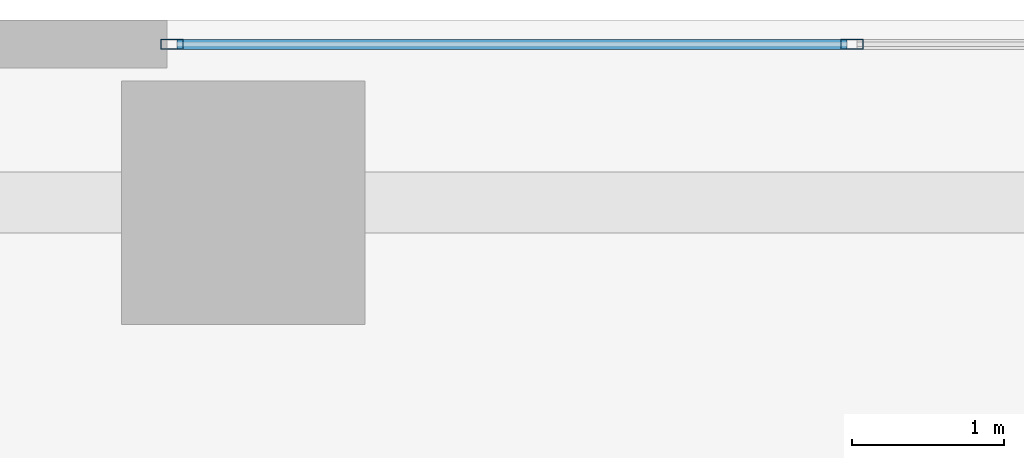
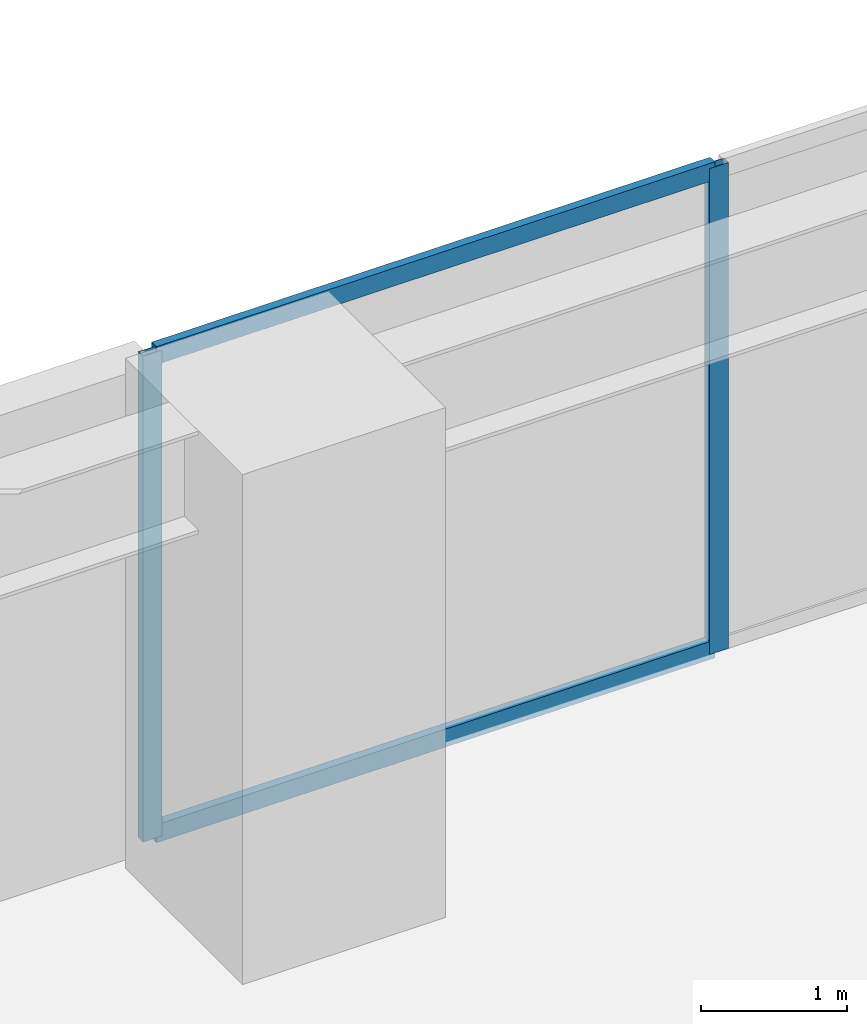
# One storey, part 11 of 25: 4 members, 1 element without a shape of its own.
"""IFC4 building model written with IfcOpenShell, lengths in metres."""

from ifc_helpers import new_model, si_unit, direction, frame, origin, origin_2d, place, context, subcontext, project, spatial, hollow_rectangle, extrude, source, transform, mapped, material, layer, layer_set, material_profile, profile_set, type_object, type_shapes, element, aggregate, save


model = new_model("IFC4")

# Units and contexts
model_context = context("Model", 3, precision=1e-05, world=origin(), true_north=direction((0.0, 1.0)))
body_context = subcontext(model_context, "Body", "Model", "MODEL_VIEW")
ifc_project = project(units=[si_unit("LENGTHUNIT", "METRE"), si_unit("AREAUNIT", "SQUARE_METRE"), si_unit("VOLUMEUNIT", "CUBIC_METRE"), si_unit("PLANEANGLEUNIT", "RADIAN"), si_unit("MASSUNIT", "GRAM", prefix="KILO")], contexts=[model_context])

# Site, building, storey
site_placement = place(None, origin())
site = spatial("IfcSite", under=ifc_project, at=site_placement, CompositionType="ELEMENT")
building_placement = place(site_placement, origin())
building = spatial("IfcBuilding", under=site, at=building_placement, Name="Talar Marvaseh", CompositionType="ELEMENT")
storey_placement = place(building_placement, frame((0.0, 0.0, 14.39990234375)))
storey = spatial("IfcBuildingStorey", under=building, at=storey_placement, Name="L03", CompositionType="ELEMENT", Elevation=14.39990234375)

# Curtain wall, members
ifc_material = material(Name="Architectural Aluminium", Category="aluminium")
ifc_layer = layer(ifc_material, 0.25)
ifc_layer_set = layer_set([ifc_layer], Name="Architectural Aluminium")
curtain_wall_type = type_object("IfcCurtainWallType", Name="Station Podium Monumental Iwan Curtain Wall", PredefinedType="NOTDEFINED", material=ifc_layer_set)
curtain_wall_placement = place(storey_placement, origin())
curtain_wall = element("IfcCurtainWall", 1, at=curtain_wall_placement, inside=storey, type_object=curtain_wall_type, Name="L03 Station Podium Monumental Iwan Curtain Wall", PredefinedType="NOTDEFINED")
ifc_material_profile_1 = material_profile(ifc_material, hollow_rectangle(XDim=0.06494140625, YDim=0.14990234375, WallThickness=0.00390625, at=origin_2d()), Name="RHS150x65x4")
ifc_profile_set_1 = profile_set([ifc_material_profile_1], Name="Architectural Aluminium")
member_type_1 = type_object("IfcMemberType", Name="Unitised Curtain Wall Slim Transom RHS150x65x4", PredefinedType="USERDEFINED", material=ifc_profile_set_1)
shared_shape_1 = source(origin(), body_context, "Body", "SweptSolid", [
    extrude(hollow_rectangle(XDim=0.06494140625, YDim=0.14990234375, WallThickness=0.00390625, at=origin_2d()), origin(), (0.0, 0.0, 1.0), 4.402587890625),
])
type_shapes(member_type_1, [shared_shape_1])
member_1_placement = place(storey_placement, frame((18.06494140625, 47.840087890625, 0.03271484375), z_axis=(1.0, 0.0, 0.0), x_axis=(0.0, 1.0, 0.0)))
member_1 = element("IfcMember", 2, at=member_1_placement, type_object=member_type_1, Name="CW-POD transom 1.1", ObjectType="TRANSOM", PredefinedType="USERDEFINED", context=body_context, shape_type="MappedRepresentation", body=[
    mapped(shared_shape_1, transform((0.0, 0.0, 0.0), x_axis=(1.0, 0.0, 0.0), y_axis=(0.0, 1.0, 0.0), z_axis=(0.0, 0.0, 1.0), scale=1.0)),
])
member_2_placement = place(storey_placement, frame((18.06494140625, 47.840087890625, 4.017578125), z_axis=(1.0, 0.0, 0.0), x_axis=(0.0, 1.0, 0.0)))
member_2 = element("IfcMember", 3, at=member_2_placement, type_object=member_type_1, Name="CW-POD transom 1.2", ObjectType="TRANSOM", PredefinedType="USERDEFINED", context=body_context, shape_type="MappedRepresentation", body=[
    mapped(shared_shape_1, transform((0.0, 0.0, 0.0), x_axis=(1.0, 0.0, 0.0), y_axis=(0.0, 1.0, 0.0), z_axis=(0.0, 0.0, 1.0), scale=1.0)),
])
ifc_material_profile_2 = material_profile(ifc_material, hollow_rectangle(XDim=0.06494140625, YDim=0.14990234375, WallThickness=0.00390625, at=origin_2d()), Name="RHS150x65x4")
ifc_profile_set_2 = profile_set([ifc_material_profile_2], Name="Architectural Aluminium")
member_type_2 = type_object("IfcMemberType", Name="Unitised Curtain Wall Slim Mullion RHS150x65x4", PredefinedType="MULLION", material=ifc_profile_set_2)
shared_shape_2 = source(origin(), body_context, "Body", "SweptSolid", [
    extrude(hollow_rectangle(XDim=0.06494140625, YDim=0.14990234375, WallThickness=0.00390625, at=origin_2d()), origin(), (0.0, 0.0, 1.0), 4.050048828125),
])
type_shapes(member_type_2, [shared_shape_2])
member_3_placement = place(storey_placement, frame((18.032470703125, 47.840087890625, 0.0), z_axis=(0.0, 0.0, 1.0), x_axis=(0.0, 1.0, 0.0)))
member_3 = element("IfcMember", 4, at=member_3_placement, type_object=member_type_2, Name="CW-POD mullion 1", PredefinedType="MULLION", context=body_context, shape_type="MappedRepresentation", body=[
    mapped(shared_shape_2, transform((0.0, 0.0, 0.0), x_axis=(1.0, 0.0, 0.0), y_axis=(0.0, 1.0, 0.0), z_axis=(0.0, 0.0, 1.0), scale=1.0)),
])
member_4_placement = place(storey_placement, frame((22.5, 47.840087890625, 0.0), z_axis=(0.0, 0.0, 1.0), x_axis=(0.0, 1.0, 0.0)))
member_4 = element("IfcMember", 5, at=member_4_placement, type_object=member_type_2, Name="CW-POD mullion 2", PredefinedType="MULLION", context=body_context, shape_type="MappedRepresentation", body=[
    mapped(shared_shape_2, transform((0.0, 0.0, 0.0), x_axis=(1.0, 0.0, 0.0), y_axis=(0.0, 1.0, 0.0), z_axis=(0.0, 0.0, 1.0), scale=1.0)),
])
aggregate(curtain_wall, [member_3, member_4, member_1, member_2])

save(model, "model.ifc")
